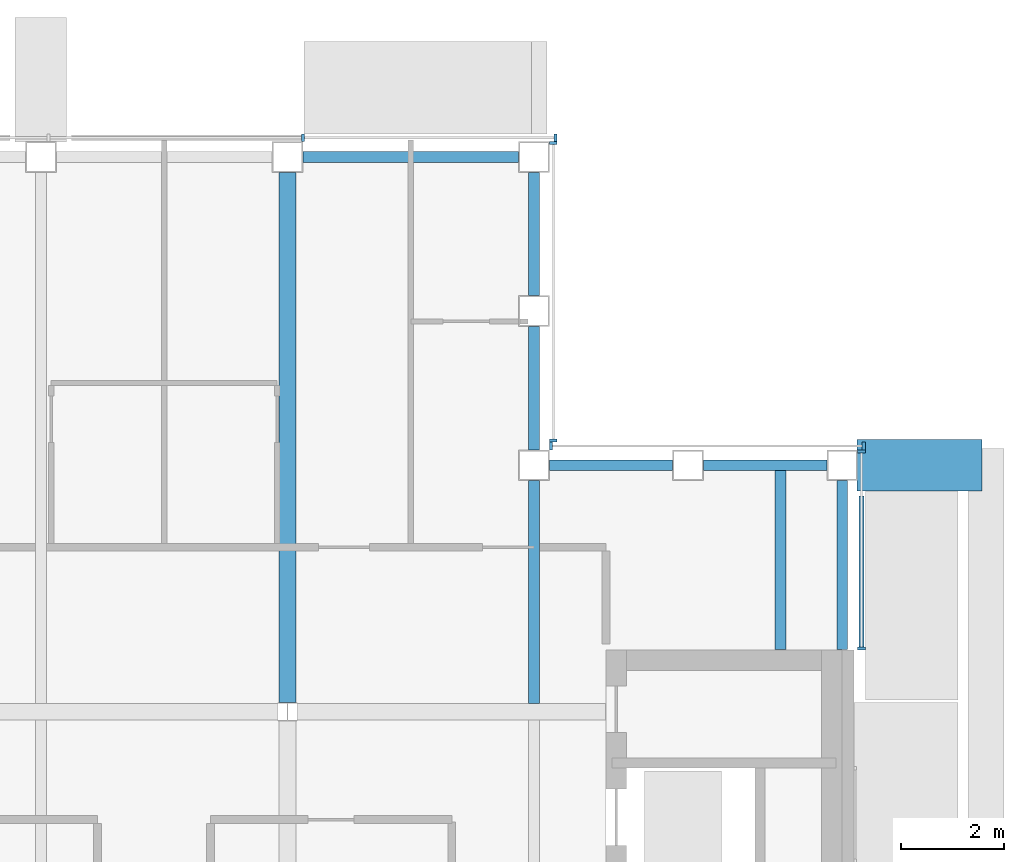
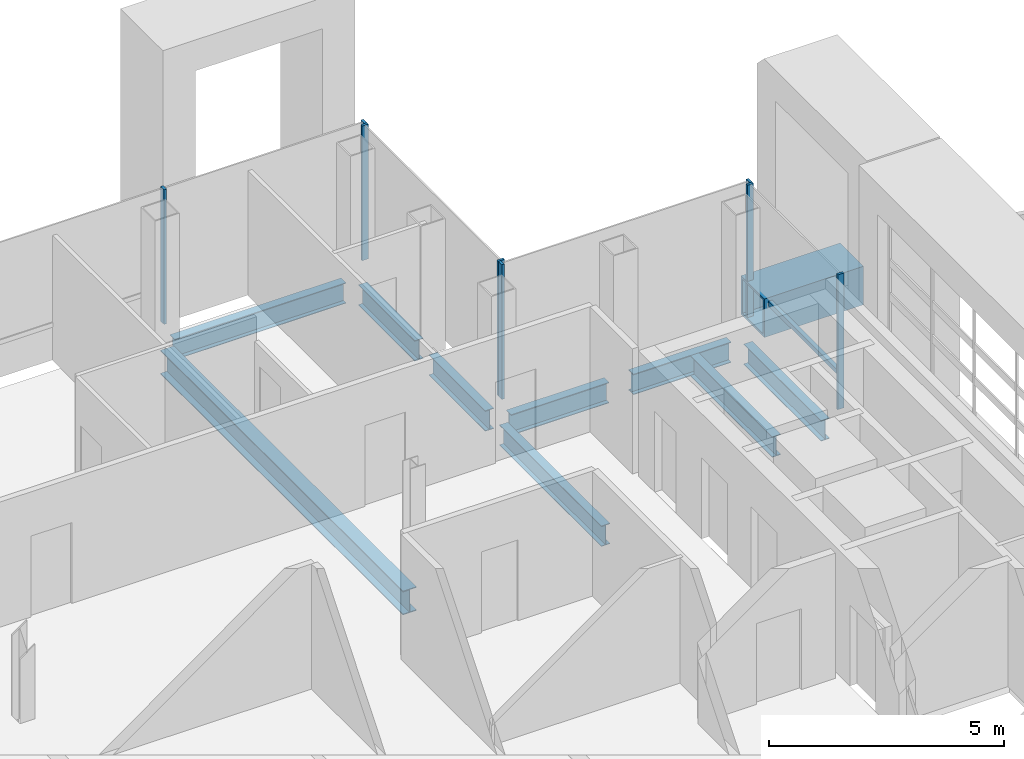
# One storey, part 10 of 23: 10 beams, 9 members, 4 elements without a shape of their own.
"""IFC4 building model written with IfcOpenShell, lengths in metres."""

from ifc_helpers import new_model, si_unit, direction, frame, origin, origin_2d, place, context, subcontext, project, spatial, rectangle, hollow_rectangle, i_section, extrude, material, material_profile, profile_set, type_object, element, aggregate, save


model = new_model("IFC4")

# Units and contexts
model_context = context("Model", 3, precision=1e-05, world=origin(), true_north=direction((0.0, 1.0)))
body_context = subcontext(model_context, "Body", "Model", "MODEL_VIEW")
ifc_project = project(units=[si_unit("LENGTHUNIT", "METRE"), si_unit("AREAUNIT", "SQUARE_METRE"), si_unit("VOLUMEUNIT", "CUBIC_METRE"), si_unit("PLANEANGLEUNIT", "RADIAN"), si_unit("MASSUNIT", "GRAM", prefix="KILO")], contexts=[model_context])

# Site, building, storey
site_placement = place(None, origin())
site = spatial("IfcSite", under=ifc_project, at=site_placement, CompositionType="ELEMENT")
building_placement = place(site_placement, origin())
building = spatial("IfcBuilding", under=site, at=building_placement, Name="Cobrizo Arcos Hotel Tower", CompositionType="ELEMENT")
storey_placement = place(building_placement, frame((0.0, 0.0, 262.0)))
storey = spatial("IfcBuildingStorey", under=building, at=storey_placement, Name="L69", CompositionType="ELEMENT", Elevation=262.0)

# Beam
ifc_material_1 = material(Name="Steel ASTM A572 Grade 50", Category="steel")
ifc_material_profile_1 = material_profile(ifc_material_1, hollow_rectangle(XDim=1.0, YDim=1.0, WallThickness=0.06005859375, at=origin_2d()), Name="BOX 1000X1000X60")
ifc_profile_set_1 = profile_set([ifc_material_profile_1], Name="Steel ASTM A572 Grade 50")
beam_type_1 = type_object("IfcBeamType", Name="BOX 1000X1000X60 brace connector strut", PredefinedType="BEAM", material=ifc_profile_set_1)
beam_1_placement = place(storey_placement, frame((20.68994140625, 14.39990234375, 0.5), z_axis=(1.0, 0.0, 0.0), x_axis=(0.0, 1.0, 0.0)))
element("IfcBeam", 1, at=beam_1_placement, inside=storey, type_object=beam_type_1, Name="Perimeter brace stub BS1, zone Z5, east face, offset +14.40 m, L69", PredefinedType="BEAM", context=body_context, shape_type="SweptSolid", body=[
    extrude(hollow_rectangle(XDim=1.0, YDim=1.0, WallThickness=0.06005859375, at=origin_2d()), origin(), (0.0, 0.0, 1.0), 2.43017578125),
])

# Curtain wall, members
ifc_material_2 = material(Name="Aluminium 6063-T6 anodised bronze", Category="aluminium")
curtain_wall_type = type_object("IfcCurtainWallType", Name="CW-A guest facade", PredefinedType="NOTDEFINED", material=ifc_material_2)
curtain_wall_1_placement = place(storey_placement, origin())
curtain_wall_1 = element("IfcCurtainWall", 2, at=curtain_wall_1_placement, inside=storey, type_object=curtain_wall_type, Name="CW-A L69 E face", PredefinedType="NOTDEFINED")
ifc_material_profile_2 = material_profile(ifc_material_2, rectangle(XDim=0.14990234375, YDim=0.06005859375, at=origin_2d()), Name="CW-A mullion 150x60")
ifc_profile_set_2 = profile_set([ifc_material_profile_2], Name="Aluminium 6063-T6 anodised bronze")
member_type_1 = type_object("IfcMemberType", Name="CW-A mullion 150x60", PredefinedType="MULLION", material=ifc_profile_set_2)
member_1_placement = place(storey_placement, frame((20.77490234375, 10.830078125, 0.0), z_axis=(0.0, 0.0, 1.0), x_axis=(1.0, 0.0, 0.0)))
member_1 = element("IfcMember", 3, at=member_1_placement, type_object=member_type_1, Name="CW-A mullion 1", PredefinedType="MULLION", context=body_context, shape_type="SweptSolid", body=[
    extrude(rectangle(XDim=0.14990234375, YDim=0.06005859375, at=origin_2d()), origin(), (0.0, 0.0, 1.0), 3.5),
])
member_2_placement = place(storey_placement, frame((20.77490234375, 14.669921875, 0.0), z_axis=(0.0, 0.0, 1.0), x_axis=(1.0, 0.0, 0.0)))
member_2 = element("IfcMember", 4, at=member_2_placement, type_object=member_type_1, Name="CW-A mullion 2", PredefinedType="MULLION", context=body_context, shape_type="SweptSolid", body=[
    extrude(rectangle(XDim=0.14990234375, YDim=0.06005859375, at=origin_2d()), origin(), (0.0, 0.0, 1.0), 3.5),
])

curtain_wall_2_placement = place(storey_placement, origin())
curtain_wall_2 = element("IfcCurtainWall", 5, at=curtain_wall_2_placement, inside=storey, type_object=curtain_wall_type, Name="CW-A L69 N face", PredefinedType="NOTDEFINED")
member_3_placement = place(storey_placement, frame((20.820068359375, 14.77490234375, 0.0), z_axis=(0.0, 0.0, 1.0), x_axis=(0.0, 1.0, 0.0)))
member_3 = element("IfcMember", 6, at=member_3_placement, type_object=member_type_1, Name="CW-A mullion 1", PredefinedType="MULLION", context=body_context, shape_type="SweptSolid", body=[
    extrude(rectangle(XDim=0.14990234375, YDim=0.06005859375, at=origin_2d()), origin(), (0.0, 0.0, 1.0), 3.5),
])
member_4_placement = place(storey_placement, frame((14.72998046875, 14.77490234375, 0.0), z_axis=(0.0, 0.0, 1.0), x_axis=(0.0, 1.0, 0.0)))
member_4 = element("IfcMember", 7, at=member_4_placement, type_object=member_type_1, Name="CW-A mullion 2", PredefinedType="MULLION", context=body_context, shape_type="SweptSolid", body=[
    extrude(rectangle(XDim=0.14990234375, YDim=0.06005859375, at=origin_2d()), origin(), (0.0, 0.0, 1.0), 3.5),
])
aggregate(curtain_wall_2, [member_3, member_4])

curtain_wall_3_placement = place(storey_placement, origin())
curtain_wall_3 = element("IfcCurtainWall", 8, at=curtain_wall_3_placement, inside=storey, type_object=curtain_wall_type, Name="CW-A L69 E face", PredefinedType="NOTDEFINED")
member_5_placement = place(storey_placement, frame((14.77490234375, 14.8798828125, 0.0), z_axis=(0.0, 0.0, 1.0), x_axis=(1.0, 0.0, 0.0)))
member_5 = element("IfcMember", 9, at=member_5_placement, type_object=member_type_1, Name="CW-A mullion 1", PredefinedType="MULLION", context=body_context, shape_type="SweptSolid", body=[
    extrude(rectangle(XDim=0.14990234375, YDim=0.06005859375, at=origin_2d()), origin(), (0.0, 0.0, 1.0), 3.5),
])
member_6_placement = place(storey_placement, frame((14.77490234375, 20.669921875, 0.0), z_axis=(0.0, 0.0, 1.0), x_axis=(1.0, 0.0, 0.0)))
member_6 = element("IfcMember", 10, at=member_6_placement, type_object=member_type_1, Name="CW-A mullion 2", PredefinedType="MULLION", context=body_context, shape_type="SweptSolid", body=[
    extrude(rectangle(XDim=0.14990234375, YDim=0.06005859375, at=origin_2d()), origin(), (0.0, 0.0, 1.0), 3.5),
])
aggregate(curtain_wall_3, [member_5, member_6])

curtain_wall_4_placement = place(storey_placement, origin())
curtain_wall_4 = element("IfcCurtainWall", 11, at=curtain_wall_4_placement, inside=storey, type_object=curtain_wall_type, Name="CW-A L69 N face", PredefinedType="NOTDEFINED")
member_7_placement = place(storey_placement, frame((14.820068359375, 20.77490234375, 0.0), z_axis=(0.0, 0.0, 1.0), x_axis=(0.0, 1.0, 0.0)))
member_7 = element("IfcMember", 12, at=member_7_placement, type_object=member_type_1, Name="CW-A mullion 1", PredefinedType="MULLION", context=body_context, shape_type="SweptSolid", body=[
    extrude(rectangle(XDim=0.14990234375, YDim=0.06005859375, at=origin_2d()), origin(), (0.0, 0.0, 1.0), 3.5),
])
member_8_placement = place(storey_placement, frame((9.89990234375, 20.77490234375, 0.0), z_axis=(0.0, 0.0, 1.0), x_axis=(0.0, 1.0, 0.0)))
member_8 = element("IfcMember", 13, at=member_8_placement, type_object=member_type_1, Name="CW-A mullion 2", PredefinedType="MULLION", context=body_context, shape_type="SweptSolid", body=[
    extrude(rectangle(XDim=0.14990234375, YDim=0.06005859375, at=origin_2d()), origin(), (0.0, 0.0, 1.0), 3.5),
])
aggregate(curtain_wall_4, [member_7, member_8])

# Member
ifc_material_profile_3 = material_profile(ifc_material_2, rectangle(XDim=0.10009765625, YDim=0.1201171875, at=origin_2d()), Name="CW-A transom 120x100")
ifc_profile_set_3 = profile_set([ifc_material_profile_3], Name="Aluminium 6063-T6 anodised bronze")
member_type_2 = type_object("IfcMemberType", Name="CW-A transom 120x100", PredefinedType="USERDEFINED", material=ifc_profile_set_3)
member_9_placement = place(storey_placement, frame((20.77490234375, 10.860107421875, 0.929931640625), z_axis=(0.0, 1.0, 0.0), x_axis=(-1.0, 0.0, 0.0)))
member_9 = element("IfcMember", 14, at=member_9_placement, type_object=member_type_2, Name="CW-A transom 2165", ObjectType="TRANSOM", PredefinedType="USERDEFINED", context=body_context, shape_type="SweptSolid", body=[
    extrude(rectangle(XDim=0.10009765625, YDim=0.1201171875, at=origin_2d()), origin(), (0.0, 0.0, 1.0), 2.93994140625),
])

aggregate(curtain_wall_1, [member_1, member_2, member_9])

# Beams
ifc_material_3 = material(Name="Steel ASTM A992 Grade 50", Category="steel")
ifc_material_profile_4 = material_profile(ifc_material_3, i_section(OverallWidth=0.209228515625, OverallDepth=0.533447265625, WebThickness=0.01025390625, FlangeThickness=0.015625, at=origin_2d()), Name="W21X62")
ifc_profile_set_4 = profile_set([ifc_material_profile_4], Name="Steel ASTM A992 Grade 50")
beam_type_2 = type_object("IfcBeamType", Name="W21X62 joist", PredefinedType="JOIST", material=ifc_profile_set_4)
beam_2_placement = place(storey_placement, frame((14.39990234375, 9.763916015625, -0.416748046875), z_axis=(0.0, 1.0, 0.0), x_axis=(-1.0, 0.0, 0.0)))
element("IfcBeam", 15, at=beam_2_placement, inside=storey, type_object=beam_type_2, Name="Floor joist J1, L69, no. 018", PredefinedType="JOIST", context=body_context, shape_type="SweptSolid", body=[
    extrude(i_section(OverallWidth=0.209228515625, OverallDepth=0.533447265625, WebThickness=0.01025390625, FlangeThickness=0.015625, at=origin_2d()), origin(), (0.0, 0.0, 1.0), 4.336181640625),
])
beam_3_placement = place(storey_placement, frame((19.199951171875, 10.81005859375, -0.416748046875), z_axis=(0.0, 1.0, 0.0), x_axis=(-1.0, 0.0, 0.0)))
element("IfcBeam", 16, at=beam_3_placement, inside=storey, type_object=beam_type_2, Name="Floor joist J1, L69, no. 020", PredefinedType="JOIST", context=body_context, shape_type="SweptSolid", body=[
    extrude(i_section(OverallWidth=0.209228515625, OverallDepth=0.533447265625, WebThickness=0.01025390625, FlangeThickness=0.015625, at=origin_2d()), origin(), (0.0, 0.0, 1.0), 3.5),
])
ifc_material_profile_5 = material_profile(ifc_material_3, i_section(OverallWidth=0.209228515625, OverallDepth=0.533447265625, WebThickness=0.01025390625, FlangeThickness=0.015625, at=origin_2d()), Name="W21X62")
ifc_profile_set_5 = profile_set([ifc_material_profile_5], Name="Steel ASTM A992 Grade 50")
beam_type_3 = type_object("IfcBeamType", Name="W21X62 spandrel", PredefinedType="SPANDREL", material=ifc_profile_set_5)
beam_4_placement = place(storey_placement, frame((20.39990234375, 10.81005859375, -0.416748046875), z_axis=(0.0, 1.0, 0.0), x_axis=(-1.0, 0.0, 0.0)))
element("IfcBeam", 17, at=beam_4_placement, inside=storey, type_object=beam_type_3, Name="Spandrel beam W21X62, L69, no. 012", PredefinedType="SPANDREL", context=body_context, shape_type="SweptSolid", body=[
    extrude(i_section(OverallWidth=0.209228515625, OverallDepth=0.533447265625, WebThickness=0.01025390625, FlangeThickness=0.015625, at=origin_2d()), origin(), (0.0, 0.0, 1.0), 3.2900390625),
])
for number, where, z_axis, x_axis, name in (
    (18, (20.10009765625, 14.39990234375, -0.416748046875), (-1.0, 0.0, 0.0), (0.0, -1.0, 0.0), "Spandrel beam W21X62, L69, no. 013"),
    (19, (17.10009765625, 14.39990234375, -0.416748046875), (-1.0, 0.0, 0.0), (0.0, -1.0, 0.0), "Spandrel beam W21X62, L69, no. 014"),
    (20, (14.39990234375, 14.699951171875, -0.416748046875), (0.0, 1.0, 0.0), (-1.0, 0.0, 0.0), "Spandrel beam W21X62, L69, no. 015"),
    (21, (14.39990234375, 17.699951171875, -0.416748046875), (0.0, 1.0, 0.0), (-1.0, 0.0, 0.0), "Spandrel beam W21X62, L69, no. 016"),
):
    element("IfcBeam", number, at=place(storey_placement, frame(where, z_axis=z_axis, x_axis=x_axis)), inside=storey, type_object=beam_type_3, Name=name, PredefinedType="SPANDREL", context=body_context, shape_type="SweptSolid", body=[
        extrude(i_section(OverallWidth=0.209228515625, OverallDepth=0.533447265625, WebThickness=0.01025390625, FlangeThickness=0.015625, at=origin_2d()), origin(), (0.0, 0.0, 1.0), 2.400146484375),
    ])
beam_5_placement = place(storey_placement, frame((14.10009765625, 20.39990234375, -0.416748046875), z_axis=(-1.0, 0.0, 0.0), x_axis=(0.0, -1.0, 0.0)))
element("IfcBeam", 22, at=beam_5_placement, inside=storey, type_object=beam_type_3, Name="Spandrel beam W21X62, L69, no. 017", PredefinedType="SPANDREL", context=body_context, shape_type="SweptSolid", body=[
    extrude(i_section(OverallWidth=0.209228515625, OverallDepth=0.533447265625, WebThickness=0.01025390625, FlangeThickness=0.015625, at=origin_2d()), origin(), (0.0, 0.0, 1.0), 4.2001953125),
])
ifc_material_profile_6 = material_profile(ifc_material_3, i_section(OverallWidth=0.32763671875, OverallDepth=0.622314453125, WebThickness=0.015380859375, FlangeThickness=0.0244140625, at=origin_2d()), Name="W24X131")
ifc_profile_set_6 = profile_set([ifc_material_profile_6], Name="Steel ASTM A992 Grade 50")
beam_type_4 = type_object("IfcBeamType", Name="W24X131 girder", PredefinedType="BEAM", material=ifc_profile_set_6)
beam_6_placement = place(storey_placement, frame((9.60009765625, 9.7841796875, -0.461181640625), z_axis=(0.0, 1.0, 0.0), x_axis=(-1.0, 0.0, 0.0)))
element("IfcBeam", 23, at=beam_6_placement, inside=storey, type_object=beam_type_4, Name="Floor girder G1, L69, no. 024", PredefinedType="BEAM", context=body_context, shape_type="SweptSolid", body=[
    extrude(i_section(OverallWidth=0.32763671875, OverallDepth=0.622314453125, WebThickness=0.015380859375, FlangeThickness=0.0244140625, at=origin_2d()), origin(), (0.0, 0.0, 1.0), 10.31591796875),
])

save(model, "model.ifc")
